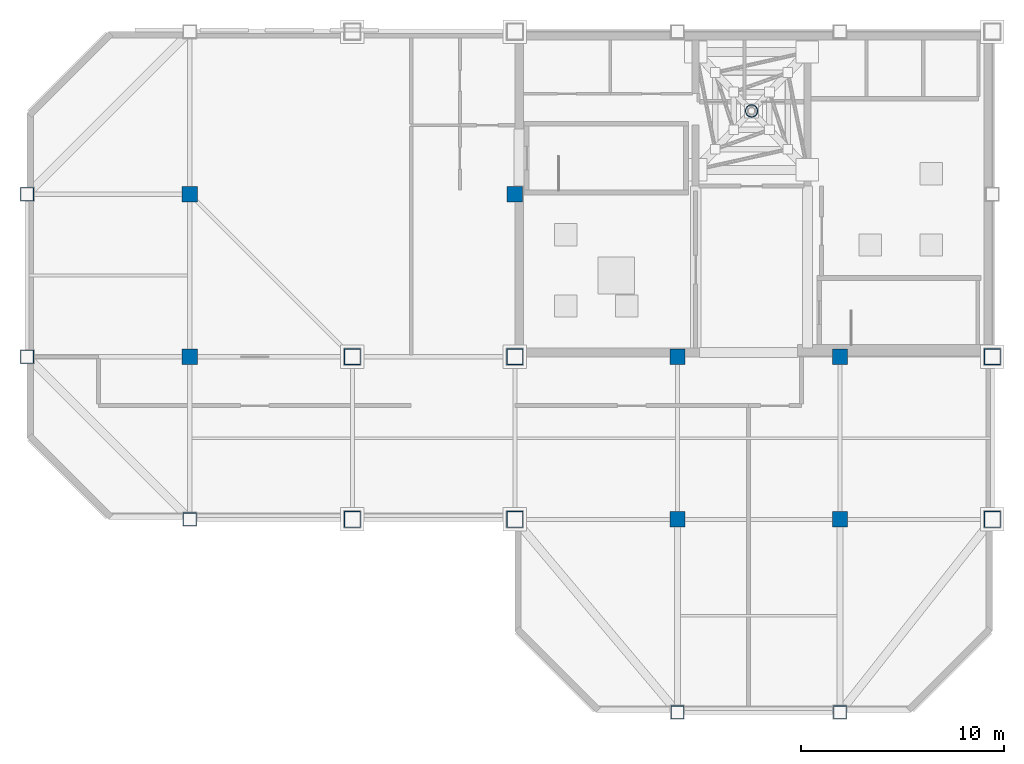
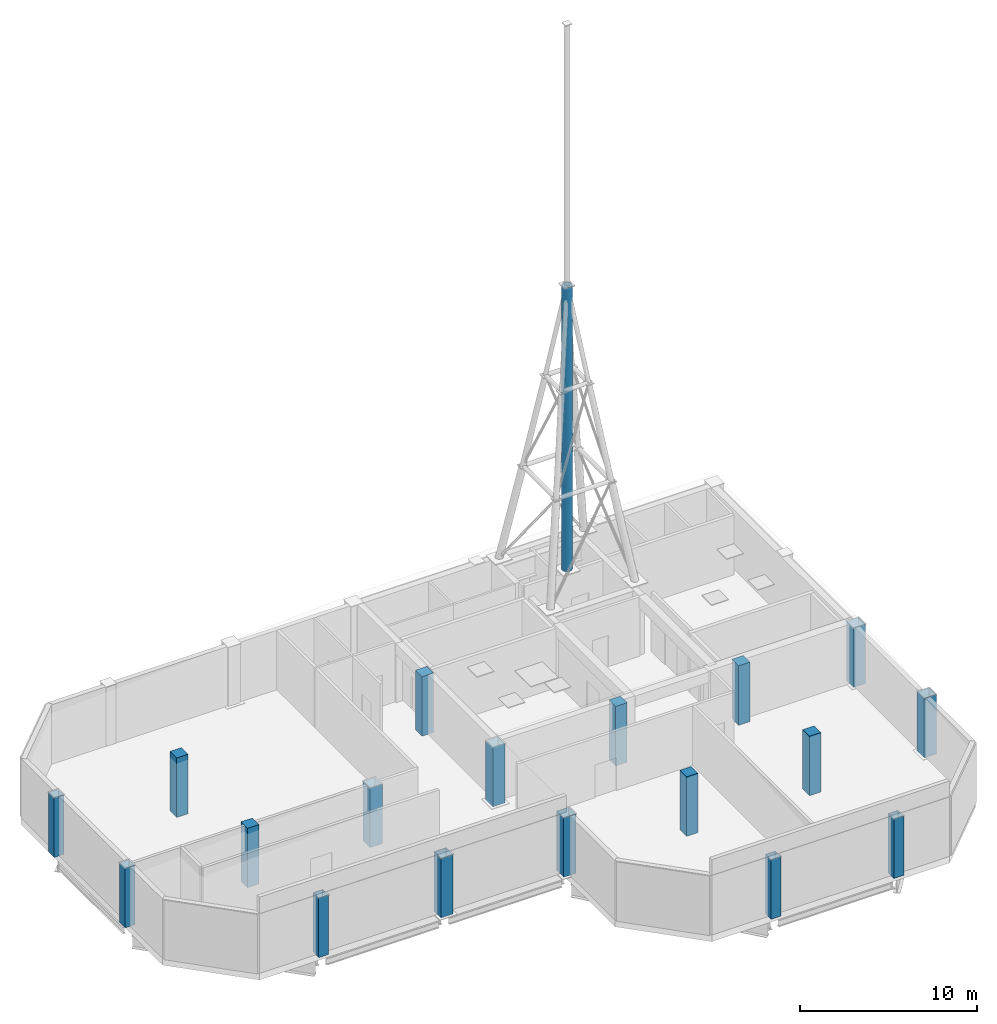
# One storey, part 1 of 7: 19 columns.
"""IFC4 building model written with IfcOpenShell, lengths in metres."""

from ifc_helpers import new_model, si_unit, direction, frame, origin, origin_2d, place, context, subcontext, project, spatial, rectangle, hollow_rectangle, hollow_circle, extrude, material, material_profile, profile_set, type_object, element, save


model = new_model("IFC4")

# Units and contexts
model_context = context("Model", 3, precision=1e-05, world=origin(), true_north=direction((0.0, 1.0)))
body_context = subcontext(model_context, "Body", "Model", "MODEL_VIEW")
ifc_project = project(units=[si_unit("LENGTHUNIT", "METRE"), si_unit("AREAUNIT", "SQUARE_METRE"), si_unit("VOLUMEUNIT", "CUBIC_METRE"), si_unit("PLANEANGLEUNIT", "RADIAN"), si_unit("MASSUNIT", "GRAM", prefix="KILO")], contexts=[model_context])

# Site, building, storey
site_placement = place(None, origin())
site = spatial("IfcSite", under=ifc_project, at=site_placement, CompositionType="ELEMENT")
building_placement = place(site_placement, origin())
building = spatial("IfcBuilding", under=site, at=building_placement, Name="Qianrong Seaharbour Tower", CompositionType="ELEMENT")
storey_placement = place(building_placement, frame((0.0, 0.0, 383.800048828125)))
storey = spatial("IfcBuildingStorey", under=building, at=storey_placement, Name="L92", CompositionType="ELEMENT", Elevation=383.800048828125)

# Columns
ifc_material_1 = material(Name="Structural steel SN490B", Category="steel")
ifc_material_profile_1 = material_profile(ifc_material_1, hollow_rectangle(XDim=0.800048828125, YDim=0.800048828125, WallThickness=0.031982421875, at=origin_2d()), Name="BOX800x800x32")
ifc_profile_set_1 = profile_set([ifc_material_profile_1], Name="Structural steel SN490B")
column_type_1 = type_object("IfcColumnType", Name="COL-CFT-800", PredefinedType="COLUMN", material=ifc_profile_set_1)
for number, where, z_axis, x_axis, name in (
    (1, (32.5, 28.0, 0.0), (0.0, 0.0, 1.0), (1.0, 0.0, 0.0), "L92 Column MC-5 at G5/GE"),
    (2, (32.5, 36.0, 0.0), (0.0, 0.0, 1.0), (1.0, 0.0, 0.0), "L92 Column MC-5 at G5/GF"),
    (3, (40.5, 28.0, 0.0), (0.0, 0.0, 1.0), (1.0, 0.0, 0.0), "L92 Column MC-5 at G6/GE"),
    (4, (40.5, 36.0, 0.0), (0.0, 0.0, 1.0), (1.0, 0.0, 0.0), "L92 Column MC-5 at G6/GF"),
    (5, (64.0, 28.0, 0.0), (0.0, 0.0, 1.0), (1.0, 0.0, 0.0), "L92 Column MC-5 at G9/GE"),
    (6, (64.0, 36.0, 0.0), (0.0, 0.0, 1.0), (1.0, 0.0, 0.0), "L92 Column MC-5 at G9/GF"),
):
    element("IfcColumn", number, at=place(storey_placement, frame(where, z_axis=z_axis, x_axis=x_axis)), inside=storey, type_object=column_type_1, Name=name, PredefinedType="COLUMN", context=body_context, shape_type="SweptSolid", body=[
        extrude(hollow_rectangle(XDim=0.800048828125, YDim=0.800048828125, WallThickness=0.031982421875, at=origin_2d()), origin(), (0.0, 0.0, 1.0), 4.099853515625),
    ])
ifc_material_2 = material(Name="Concrete C50/60", Category="concrete")
ifc_material_profile_2 = material_profile(ifc_material_2, rectangle(XDim=0.75, YDim=0.75, at=origin_2d()), Name="RC750x750")
ifc_profile_set_2 = profile_set([ifc_material_profile_2], Name="Concrete C50/60")
column_type_2 = type_object("IfcColumnType", Name="COL-INT-RC750", PredefinedType="COLUMN", material=ifc_profile_set_2)
for number, where, z_axis, x_axis, name in (
    (7, (24.5, 36.0, 0.0), (0.0, 0.0, 1.0), (1.0, 0.0, 0.0), "L92 Column IC-4 at G4/GF"),
    (8, (24.5, 44.0, 0.0), (0.0, 0.0, 1.0), (1.0, 0.0, 0.0), "L92 Column IC-4 at G4/GG"),
    (9, (40.5, 44.0, 0.0), (0.0, 0.0, 1.0), (1.0, 0.0, 0.0), "L92 Column IC-4 at G6/GG"),
    (10, (48.5, 28.0, 0.0), (0.0, 0.0, 1.0), (1.0, 0.0, 0.0), "L92 Column IC-4 at G7/GE"),
    (11, (48.5, 36.0, 0.0), (0.0, 0.0, 1.0), (1.0, 0.0, 0.0), "L92 Column IC-4 at G7/GF"),
    (12, (56.5, 28.0, 0.0), (0.0, 0.0, 1.0), (1.0, 0.0, 0.0), "L92 Column IC-4 at G8/GE"),
    (13, (56.5, 36.0, 0.0), (0.0, 0.0, 1.0), (1.0, 0.0, 0.0), "L92 Column IC-4 at G8/GF"),
):
    element("IfcColumn", number, at=place(storey_placement, frame(where, z_axis=z_axis, x_axis=x_axis)), inside=storey, type_object=column_type_2, Name=name, PredefinedType="COLUMN", context=body_context, shape_type="SweptSolid", body=[
        extrude(rectangle(XDim=0.75, YDim=0.75, at=origin_2d()), origin(), (0.0, 0.0, 1.0), 4.099853515625),
    ])
ifc_material_3 = material(Name="Structural steel SN400B", Category="steel")
ifc_material_profile_3 = material_profile(ifc_material_3, hollow_rectangle(XDim=0.64990234375, YDim=0.64990234375, WallThickness=0.028076171875, at=origin_2d()), Name="BOX650x650x28")
ifc_profile_set_3 = profile_set([ifc_material_profile_3], Name="Structural steel SN400B")
column_type_3 = type_object("IfcColumnType", Name="COL-PER-650", PredefinedType="COLUMN", material=ifc_profile_set_3)
for number, where, z_axis, x_axis, name in (
    (14, (16.5, 36.0, 0.0), (0.0, 0.0, 1.0), (1.0, 0.0, 0.0), "L92 Column PC-4 at G3/GF"),
    (15, (16.5, 44.0, 0.0), (0.0, 0.0, 1.0), (1.0, 0.0, 0.0), "L92 Column PC-4 at G3/GG"),
    (16, (24.5, 28.0, 0.0), (0.0, 0.0, 1.0), (1.0, 0.0, 0.0), "L92 Column PC-4 at G4/GE"),
    (17, (48.5, 18.5, 0.0), (0.0, 0.0, 1.0), (1.0, 0.0, 0.0), "L92 Column PC-4 at G7/GD"),
    (18, (56.5, 18.5, 0.0), (0.0, 0.0, 1.0), (1.0, 0.0, 0.0), "L92 Column PC-4 at G8/GD"),
):
    element("IfcColumn", number, at=place(storey_placement, frame(where, z_axis=z_axis, x_axis=x_axis)), inside=storey, type_object=column_type_3, Name=name, PredefinedType="COLUMN", context=body_context, shape_type="SweptSolid", body=[
        extrude(hollow_rectangle(XDim=0.64990234375, YDim=0.64990234375, WallThickness=0.028076171875, at=origin_2d()), origin(), (0.0, 0.0, 1.0), 4.099853515625),
    ])
ifc_material_4 = material(Name="Stainless steel SUS316L", Category="steel")
ifc_material_profile_4 = material_profile(ifc_material_4, hollow_circle(Radius=0.3046875, WallThickness=0.02197265625, at=origin_2d()), Name="CHS609.6x22")
ifc_profile_set_4 = profile_set([ifc_material_profile_4], Name="Stainless steel SUS316L")
column_type_4 = type_object("IfcColumnType", Name="COL-SPIRE-610", PredefinedType="COLUMN", material=ifc_profile_set_4)
column_placement = place(storey_placement, frame((52.14990234375, 48.10009765625, 4.599853515625), z_axis=(0.0, 0.0, 1.0), x_axis=(1.0, 0.0, 0.0)))
element("IfcColumn", 19, at=column_placement, inside=storey, type_object=column_type_4, Name="SPIRE MAST Lower Trunk SP-L1", PredefinedType="COLUMN", context=body_context, shape_type="SweptSolid", body=[
    extrude(hollow_circle(Radius=0.3046875, WallThickness=0.02197265625, at=origin_2d()), origin(), (0.0, 0.0, 1.0), 19.60009765625),
])

save(model, "model.ifc")
